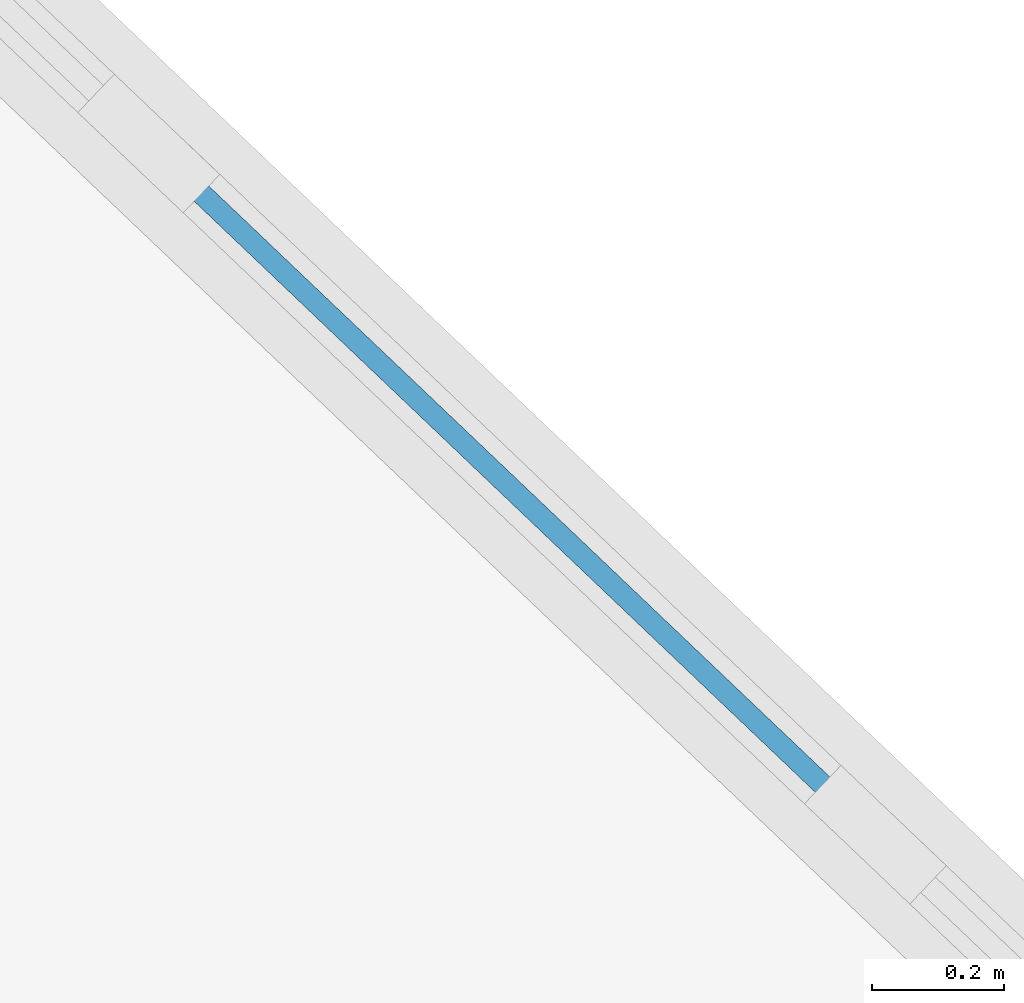
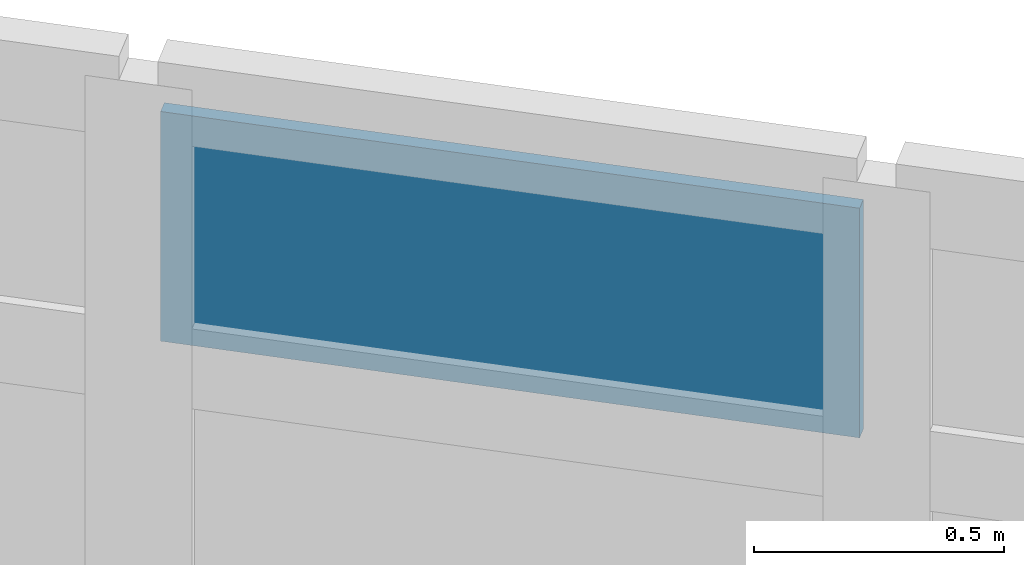
# One storey, part 49 of 66: 1 plate, 1 element without a shape of its own.
"""IFC4 building model written with IfcOpenShell, lengths in metres."""

from ifc_helpers import new_model, si_unit, direction, frame, origin, origin_2d, place, context, subcontext, project, spatial, rectangle, extrude, material, layer, layer_set, type_object, element, aggregate, save


model = new_model("IFC4")

# Units and contexts
model_context = context("Model", 3, precision=1e-05, world=origin(), true_north=direction((0.0, 1.0)))
body_context = subcontext(model_context, "Body", "Model", "MODEL_VIEW")
ifc_project = project(units=[si_unit("LENGTHUNIT", "METRE"), si_unit("AREAUNIT", "SQUARE_METRE"), si_unit("VOLUMEUNIT", "CUBIC_METRE"), si_unit("PLANEANGLEUNIT", "RADIAN"), si_unit("MASSUNIT", "GRAM", prefix="KILO")], contexts=[model_context])

# Site, building, storey
site_placement = place(None, origin())
site = spatial("IfcSite", under=ifc_project, at=site_placement, CompositionType="ELEMENT")
building_placement = place(site_placement, origin())
building = spatial("IfcBuilding", under=site, at=building_placement, Name="Tameran Prism Museum", CompositionType="ELEMENT")
storey_placement = place(building_placement, frame((0.0, 0.0, 19.800048828125)))
storey = spatial("IfcBuildingStorey", under=building, at=storey_placement, Name="L04", CompositionType="ELEMENT", Elevation=19.800048828125)

# Curtain wall, plate
ifc_material_1 = material(Name="Anodised Aluminium 6063-T6 and Cyclone Solar Glass", Category="aluminium")
curtain_wall_type = type_object("IfcCurtainWallType", Name="CW-FAC-1062x782", PredefinedType="USERDEFINED", material=ifc_material_1)
curtain_wall_placement = place(storey_placement, origin())
curtain_wall = element("IfcCurtainWall", 1, at=curtain_wall_placement, inside=storey, type_object=curtain_wall_type, Name="Unitised Curtain Wall CW-154", ObjectType="UNITISED CURTAIN WALL", PredefinedType="USERDEFINED")
ifc_material_2 = material(Name="Cyclone Laminated Solar Glass", Category="glass")
ifc_layer = layer(ifc_material_2, 0.031982421875)
ifc_layer_set = layer_set([ifc_layer])
plate_type = type_object("IfcPlateType", Name="CW-PNL-G32", PredefinedType="CURTAIN_PANEL", material=ifc_layer_set)
plate_placement = place(storey_placement, frame((133.797607421875, 106.009033203125, 7.179931640625), z_axis=(0.0, 0.0, 1.0), x_axis=(0.724500698692, -0.689274065662, 0.0)))
plate = element("IfcPlate", 2, at=plate_placement, type_object=plate_type, Name="CW-154 panel 6.3", PredefinedType="CURTAIN_PANEL", context=body_context, shape_type="SweptSolid", body=[
    extrude(rectangle(XDim=1.436767578125, YDim=0.031982421875, at=origin_2d()), origin(), (0.0, 0.0, 1.0), 0.56005859375),
])
aggregate(curtain_wall, [plate])

save(model, "model.ifc")
